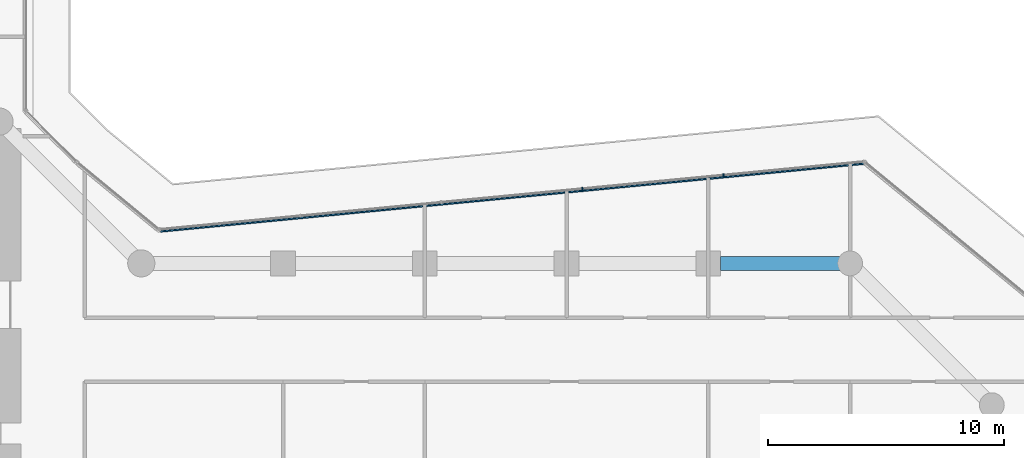
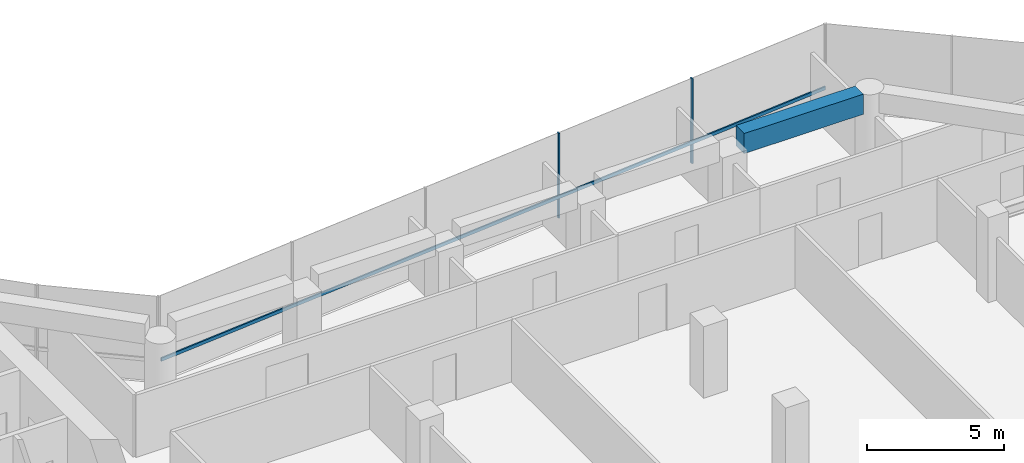
# One storey, part 10 of 30: 3 members, 1 beam, 1 element without a shape of its own.
"""IFC4 building model written with IfcOpenShell, lengths in metres."""

from ifc_helpers import new_model, si_unit, direction, frame, origin, origin_2d, place, context, subcontext, project, spatial, rectangle, extrude, material, layer, layer_set, material_profile, profile_set, type_object, element, aggregate, save


model = new_model("IFC4")

# Units and contexts
model_context = context("Model", 3, precision=1e-05, world=origin(), true_north=direction((0.0, 1.0)))
body_context = subcontext(model_context, "Body", "Model", "MODEL_VIEW")
ifc_project = project(units=[si_unit("LENGTHUNIT", "METRE"), si_unit("AREAUNIT", "SQUARE_METRE"), si_unit("VOLUMEUNIT", "CUBIC_METRE"), si_unit("PLANEANGLEUNIT", "RADIAN"), si_unit("MASSUNIT", "GRAM", prefix="KILO")], contexts=[model_context])

# Site, building, storey
site_placement = place(None, origin())
site = spatial("IfcSite", under=ifc_project, at=site_placement, CompositionType="ELEMENT")
building_placement = place(site_placement, origin())
building = spatial("IfcBuilding", under=site, at=building_placement, Name="Welwitschia Terrace Campus", CompositionType="ELEMENT")
storey_placement = place(building_placement, frame((0.0, 0.0, 75.199951171875)))
storey = spatial("IfcBuildingStorey", under=building, at=storey_placement, Name="L17", CompositionType="ELEMENT", Elevation=75.199951171875)

# Curtain wall, members
ifc_material_1 = material(Name="Bronze anodised aluminium", Category="aluminium")
ifc_layer = layer(ifc_material_1, 0.1201171875)
ifc_layer_set = layer_set([ifc_layer], Name="Bronze anodised aluminium")
curtain_wall_type = type_object("IfcCurtainWallType", Name="Curtain wall CW2 tower 6000", PredefinedType="NOTDEFINED", material=ifc_layer_set)
curtain_wall_placement = place(storey_placement, origin())
curtain_wall = element("IfcCurtainWall", 1, at=curtain_wall_placement, inside=storey, type_object=curtain_wall_type, Name="CW L17.9.0", PredefinedType="NOTDEFINED")
ifc_material_2 = material(Name="Bronze anodised aluminium", Category="aluminium")
ifc_material_profile_1 = material_profile(ifc_material_2, rectangle(XDim=0.1201171875, YDim=0.06005859375, at=origin_2d()))
ifc_profile_set_1 = profile_set([ifc_material_profile_1], Name="Bronze anodised aluminium")
member_type_1 = type_object("IfcMemberType", Name="Mullion 60x120", PredefinedType="MULLION", material=ifc_profile_set_1)
member_1_placement = place(storey_placement, frame((54.64013671875, 23.73486328125, 0.0), z_axis=(0.0, 0.0, 1.0), x_axis=(0.09584575252, -0.995396198367, 0.0)))
member_1 = element("IfcMember", 2, at=member_1_placement, type_object=member_type_1, Name="Mullion L17.9.0.1", PredefinedType="MULLION", context=body_context, shape_type="SweptSolid", body=[
    extrude(rectangle(XDim=0.1201171875, YDim=0.06005859375, at=origin_2d()), origin(), (0.0, 0.0, 1.0), 3.800048828125),
])
member_2_placement = place(storey_placement, frame((48.667724609375, 23.159912109375, 0.0), z_axis=(0.0, 0.0, 1.0), x_axis=(0.09584575252, -0.995396198367, 0.0)))
member_2 = element("IfcMember", 3, at=member_2_placement, type_object=member_type_1, Name="Mullion L17.9.0.2", PredefinedType="MULLION", context=body_context, shape_type="SweptSolid", body=[
    extrude(rectangle(XDim=0.1201171875, YDim=0.06005859375, at=origin_2d()), origin(), (0.0, 0.0, 1.0), 3.800048828125),
])

# Beam
ifc_material_3 = material(Name="Concrete C60/75", Category="concrete")
ifc_material_profile_2 = material_profile(ifc_material_3, rectangle(XDim=0.60009765625, YDim=0.89990234375, at=origin_2d()))
ifc_profile_set_2 = profile_set([ifc_material_profile_2], Name="Concrete C60/75")
beam_type = type_object("IfcBeamType", Name="Ring spandrel 600x900", PredefinedType="SPANDREL", material=ifc_profile_set_2)
beam_placement = place(storey_placement, frame((59.568603515625, 20.0, 3.35009765625), z_axis=(-1.0, 0.0, 0.0), x_axis=(0.0, -1.0, 0.0)))
element("IfcBeam", 4, at=beam_placement, inside=storey, type_object=beam_type, Name="Spandrel SP2", PredefinedType="SPANDREL", context=body_context, shape_type="SweptSolid", body=[
    extrude(rectangle(XDim=0.60009765625, YDim=0.89990234375, at=origin_2d()), origin(), (0.0, 0.0, 1.0), 5.043212890625),
])

# Member
ifc_material_4 = material(Name="Bronze anodised aluminium", Category="aluminium")
ifc_material_profile_3 = material_profile(ifc_material_4, rectangle(XDim=0.06005859375, YDim=0.14990234375, at=origin_2d()))
ifc_profile_set_3 = profile_set([ifc_material_profile_3], Name="Bronze anodised aluminium")
member_type_2 = type_object("IfcMemberType", Name="Transom 60x150", PredefinedType="USERDEFINED", material=ifc_profile_set_3)
member_3_placement = place(storey_placement, frame((60.5615234375, 24.214599609375, 1.0), z_axis=(-0.995396520536, -0.095842406615, 0.0), x_axis=(0.095842406615, -0.995396520536, 0.0)))
member_3 = element("IfcMember", 5, at=member_3_placement, type_object=member_type_2, Name="Transom L17.9.0", ObjectType="TRANSOM", PredefinedType="USERDEFINED", context=body_context, shape_type="SweptSolid", body=[
    extrude(rectangle(XDim=0.06005859375, YDim=0.14990234375, at=origin_2d()), origin(), (0.0, 0.0, 1.0), 29.8798828125),
])

aggregate(curtain_wall, [member_1, member_2, member_3])

save(model, "model.ifc")
